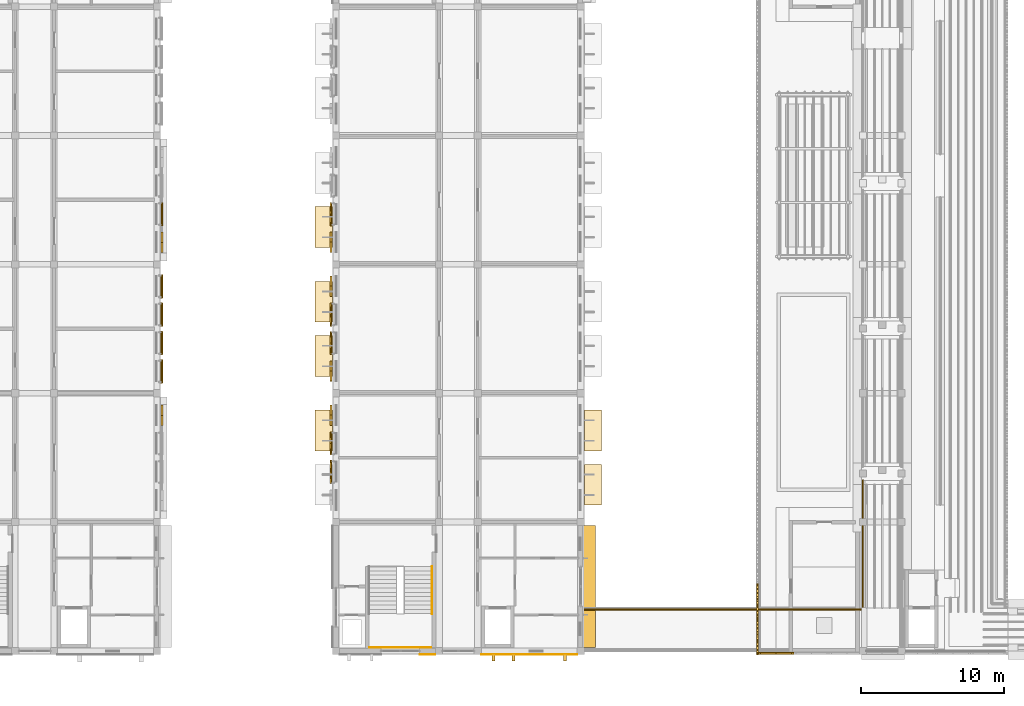
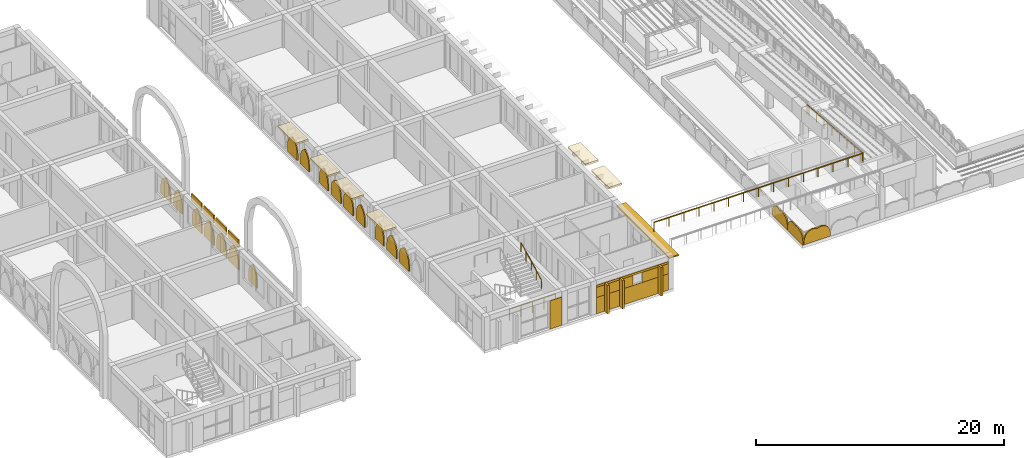
# One storey, part 57 of 65: 20 shading devices, 18 coverings, 3 railings.
"""IFC4 building model written with IfcOpenShell, lengths in metres."""

from ifc_helpers import new_model, si_unit, direction, frame, origin, origin_2d, place, context, subcontext, project, spatial, polyline, rectangle, circle, outline, extrude, material, layer, layer_set, type_object, element, save


model = new_model("IFC4")

# Units and contexts
model_context = context("Model", 3, precision=1e-05, world=origin(), true_north=direction((0.0, 1.0)))
body_context = subcontext(model_context, "Body", "Model", "MODEL_VIEW")
ifc_project = project(units=[si_unit("LENGTHUNIT", "METRE"), si_unit("AREAUNIT", "SQUARE_METRE"), si_unit("VOLUMEUNIT", "CUBIC_METRE"), si_unit("PLANEANGLEUNIT", "RADIAN"), si_unit("MASSUNIT", "GRAM", prefix="KILO")], contexts=[model_context])

# Site, building, storey
site_placement = place(None, origin())
site = spatial("IfcSite", under=ifc_project, at=site_placement, CompositionType="ELEMENT")
building_placement = place(site_placement, origin())
building = spatial("IfcBuilding", under=site, at=building_placement, Name="Elbe Cascade School", CompositionType="ELEMENT")
storey_placement = place(building_placement, frame((0.0, 0.0, 11.699951171875)))
storey = spatial("IfcBuildingStorey", under=building, at=storey_placement, Name="L03", CompositionType="ELEMENT", Elevation=11.699951171875)

# Railings
ifc_material_1 = material(Name="Steel S355J2H, painted", Category="steel")
railing_type_1 = type_object("IfcRailingType", Name="Bar stair guard 1100", PredefinedType="GUARDRAIL", material=ifc_material_1)
railing_1_placement = place(storey_placement, frame((100.9599609375, 6.239990234375, 1.800048828125)))
element("IfcRailing", 1, at=railing_1_placement, inside=storey, type_object=railing_type_1, Name="Stair guard B3.S", PredefinedType="GUARDRAIL", context=body_context, shape_type="SweptSolid", body=[
    extrude(circle(Radius=0.02392578125, at=origin_2d()), frame((0.0, 0.0, 1.09619140625), z_axis=(1.0, 0.0, 0.0), x_axis=(0.0, 1.0, 0.0)), (0.0, 0.0, 1.0), 4.280029296875),
    extrude(circle(Radius=0.02099609375, at=origin_2d()), origin(), (0.0, 0.0, 1.0), 1.072021484375),
    extrude(circle(Radius=0.02099609375, at=origin_2d()), frame((1.070068359375, 0.0, 0.0)), (0.0, 0.0, 1.0), 1.072021484375),
    extrude(circle(Radius=0.02099609375, at=origin_2d()), frame((2.14013671875, 0.0, 0.0)), (0.0, 0.0, 1.0), 1.072021484375),
    extrude(circle(Radius=0.02099609375, at=origin_2d()), frame((3.2099609375, 0.0, 0.0)), (0.0, 0.0, 1.0), 1.072021484375),
    extrude(circle(Radius=0.02099609375, at=origin_2d()), frame((4.280029296875, 0.0, 0.0)), (0.0, 0.0, 1.0), 1.072021484375),
])
ifc_material_2 = material(Name="Steel S355J2H, painted", Category="steel")
railing_type_2 = type_object("IfcRailingType", Name="Bar stair handrail 900", PredefinedType="HANDRAIL", material=ifc_material_2)
railing_2_placement = place(storey_placement, frame((105.300048828125, 8.60009765625, 1.949951171875)))
element("IfcRailing", 2, at=railing_2_placement, inside=storey, type_object=railing_type_2, Name="Stair handrail B3.S", PredefinedType="HANDRAIL", context=body_context, shape_type="SweptSolid", body=[
    extrude(circle(Radius=0.02392578125, at=origin_2d()), frame((0.0, 0.0, 0.8759765625), z_axis=(0.0, 0.894400720042, 0.447266533499), x_axis=(-1.0, 0.0, 0.0)), (0.0, 0.0, 1.0), 3.689453125),
    extrude(circle(Radius=0.02099609375, at=origin_2d()), origin(), (0.0, 0.0, 1.0), 0.851806640625),
    extrude(circle(Radius=0.02099609375, at=origin_2d()), frame((0.0, 0.824951171875, 0.41259765625)), (0.0, 0.0, 1.0), 0.851806640625),
    extrude(circle(Radius=0.02099609375, at=origin_2d()), frame((0.0, 1.64990234375, 0.8251953125)), (0.0, 0.0, 1.0), 0.851806640625),
    extrude(circle(Radius=0.02099609375, at=origin_2d()), frame((0.0, 2.474853515625, 1.237548828125)), (0.0, 0.0, 1.0), 0.851806640625),
    extrude(circle(Radius=0.02099609375, at=origin_2d()), frame((0.0, 3.2998046875, 1.650146484375)), (0.0, 0.0, 1.0), 0.851806640625),
])

# Shading devices
ifc_material_3 = material(Name="Precast concrete C40/50", Category="concrete")
ifc_layer_1 = layer(ifc_material_3, 0.1201171875)
ifc_layer_set_1 = layer_set([ifc_layer_1], Name="Precast concrete C40/50")
shading_device_type_1 = type_object("IfcShadingDeviceType", Name="Bars envelope Attic jali screen, pointed arch top, pierced precast concrete, 1200 high", PredefinedType="USERDEFINED", material=ifc_layer_set_1)
shading_device_1_placement = place(storey_placement, frame((127.97998046875, 5.75, 0.400146484375), z_axis=(-1.0, 0.0, 0.0), x_axis=(0.0, 0.296914729778, 0.954903996871)))
element("IfcShadingDevice", 3, at=shading_device_1_placement, inside=storey, type_object=shading_device_type_1, Name="Attic jali screen SD1 C.L03.w1", ObjectType="JALI", PredefinedType="USERDEFINED", context=body_context, shape_type="SweptSolid", body=[
    extrude(outline(polyline([(0.0, 0.0), (0.5213118135497831, 2.7755575615628914e-17), (0.7307670272254834, 0.09722334288068585), (0.8772044201284606, 0.2137855707816544), (0.9847089596433677, 0.3424534529484574), (1.0619064875388193, 0.48054489831620933), (1.1125270975525943, 0.6269000837217165), (1.1363376588260814, 0.7815914981126785), (1.1314731244903915, 0.9451990530706923), (1.2283261334568831, 1.0774345576902884), (1.296431557866498, 1.218353072018325), (1.337726933535825, 1.3676078153318163), (1.3524453913234755, 1.5251262986830632), (1.3368568374916705, 1.692068345235259), (1.2823354302717953, 1.871116046053289), (1.1649411801745964, 2.069968893608824), (0.7355453523079154, 2.365578822327823), (0.3534438750441624, 2.4843882076074792), (-0.382101477263753, 0.11880938527965638), (0.0, 0.0)])), origin(), (0.0, 0.0, -1.0), 0.1201171875),
])
shading_device_2_placement = place(storey_placement, frame((127.97998046875, 8.227294921875, 0.400146484375), z_axis=(-1.0, 0.0, 0.0), x_axis=(0.0, 0.296914729778, 0.954903996871)))
element("IfcShadingDevice", 4, at=shading_device_2_placement, inside=storey, type_object=shading_device_type_1, Name="Attic jali screen SD1 C.L03.w2", ObjectType="JALI", PredefinedType="USERDEFINED", context=body_context, shape_type="SweptSolid", body=[
    extrude(outline(polyline([(0.0, 0.0), (0.5213118135497831, 2.7755575615628914e-17), (0.7306945382777837, 0.09699021202207464), (0.8772044201284606, 0.2137855707816544), (0.9847089596433677, 0.3424534529484574), (1.0619064875388193, 0.48054489831620933), (1.1125270975525943, 0.6269000837217165), (1.1363376588260814, 0.7815914981126785), (1.1314731244903915, 0.9451990530706923), (1.2282536445091836, 1.0772014268316772), (1.296431557866498, 1.218353072018325), (1.337726933535825, 1.3676078153318163), (1.3524453913234755, 1.5251262986830632), (1.3368568374916705, 1.692068345235259), (1.2824079192194948, 1.8713491769119002), (1.1649411801745964, 2.069968893608824), (0.7355453523079154, 2.365578822327823), (0.3534438750441624, 2.4843882076074792), (-0.382101477263753, 0.11880938527965638), (0.0, 0.0)])), origin(), (0.0, 0.0, -1.0), 0.1201171875),
])
shading_device_3_placement = place(storey_placement, frame((128.10009765625, 5.780029296875, 0.0), z_axis=(0.0, -1.0, 0.0), x_axis=(1.0, 0.0, 0.0)))
element("IfcShadingDevice", 5, at=shading_device_3_placement, inside=storey, type_object=shading_device_type_1, Name="Attic jali screen SD1 C.L03.s1", ObjectType="JALI", PredefinedType="USERDEFINED", context=body_context, shape_type="SweptSolid", body=[
    extrude(outline(polyline([(0.0, 0.0), (2.47119140625, 0.0), (2.47119140625, 0.400146484375), (2.31689453125, 0.89697265625), (2.162353515625, 1.068115234375), (2.0078125, 1.17333984375), (1.853515625, 1.23779296875), (1.698974609375, 1.270751953125), (1.54443359375, 1.275390625), (1.39013671875, 1.252685546875), (1.235595703125, 1.199951171875), (1.081298828125, 1.252685546875), (0.9267578125, 1.275390625), (0.772216796875, 1.270751953125), (0.617919921875, 1.23779296875), (0.46337890625, 1.17333984375), (0.308837890625, 1.068115234375), (0.154296875, 0.89697265625), (0.0, 0.400146484375), (0.0, 0.0)])), origin(), (0.0, 0.0, -1.0), 0.1201171875),
])
ifc_material_4 = material(Name="Precast concrete C30/37", Category="concrete")
ifc_layer_2 = layer(ifc_material_4, 0.1201171875)
ifc_layer_set_2 = layer_set([ifc_layer_2], Name="Precast concrete C30/37")
shading_device_type_2 = type_object("IfcShadingDeviceType", Name="Bars envelope Chhajja eave, precast concrete, 900 x 120", PredefinedType="USERDEFINED", material=ifc_layer_set_2)
shading_device_4_placement = place(storey_placement, frame((116.27001953125, 10.5, 2.6298828125), z_axis=(0.0, 0.0, 1.0), x_axis=(0.0, 1.0, 0.0)))
element("IfcShadingDevice", 6, at=shading_device_4_placement, inside=storey, type_object=shading_device_type_2, Name="Chhajja eave SD2 B.L03.e1", ObjectType="CHHAJJA", PredefinedType="USERDEFINED", context=body_context, shape_type="SweptSolid", body=[
    extrude(rectangle(XDim=8.5, YDim=0.89990234375, at=origin_2d()), origin(), (0.0, 0.0, 1.0), 0.1201171875),
])
ifc_material_5 = material(Name="Precast concrete C40/50", Category="concrete")
ifc_layer_3 = layer(ifc_material_5, 0.10009765625)
ifc_layer_set_3 = layer_set([ifc_layer_3], Name="Precast concrete C40/50")
shading_device_type_3 = type_object("IfcShadingDeviceType", Name="Bars envelope Jali screen 1400 x 1840, pointed arch rise 1200, pierced precast concrete", PredefinedType="USERDEFINED", material=ifc_layer_set_3)
shading_device_5_placement = place(storey_placement, frame((98.199951171875, 21.77001953125, 1.239990234375), z_axis=(-1.0, 0.0, 0.0), x_axis=(0.0, 0.17792317593, 0.984044380842)))
element("IfcShadingDevice", 7, at=shading_device_5_placement, inside=storey, type_object=shading_device_type_3, Name="Jali screen SD6 B.L03.w2.4", ObjectType="JALI", PredefinedType="USERDEFINED", context=body_context, shape_type="SweptSolid", body=[
    extrude(outline(polyline([(0.0, 0.0), (0.49123641871346896, 0.0), (0.6927805522414701, 0.052626805310662106), (0.8431090177286255, 0.11426571806572286), (0.9656124771118364, 0.18118371597428135), (1.069333371826684, 0.25124965415180983), (1.1586395539315395, 0.3239218888517511), (1.236937894644108, 0.3988325294290419), (1.305342743464475, 0.47528389408648153), (1.26808313808694, 0.5710883451184476), (1.2209300408172035, 0.6684335202305626), (1.1627256638798062, 0.7677768560098606), (1.0901500126077905, 0.8699667335217378), (0.9987917966674117, 0.9753045513025852), (0.8796085746230882, 1.0859214542369302), (0.7092096845379191, 1.2055504646156736), (0.24907507099190854, 1.377566035094913), (-0.38060762485458033, 1.491417754848975), (-0.6296826958464888, 0.11385171975406214), (0.0, 0.0)])), origin(), (0.0, 0.0, -1.0), 0.10009765625),
])
shading_device_6_placement = place(storey_placement, frame((98.199951171875, 24.830078125, 1.239990234375), z_axis=(-1.0, 0.0, 0.0), x_axis=(0.0, 0.17792317593, 0.984044380842)))
element("IfcShadingDevice", 8, at=shading_device_6_placement, inside=storey, type_object=shading_device_type_3, Name="Jali screen SD6 B.L03.w3.1", ObjectType="JALI", PredefinedType="USERDEFINED", context=body_context, shape_type="SweptSolid", body=[
    extrude(outline(polyline([(0.0, 0.0), (0.49123641871346896, 0.0), (0.6927371139660965, 0.05238656010049558), (0.8431090177286255, 0.11426571806572286), (0.9655690388364628, 0.18094347076411482), (1.069333371826684, 0.25124965415180983), (1.1586395539315395, 0.3239218888517511), (1.2368944563687345, 0.3985922842188754), (1.305342743464475, 0.47528389408648153), (1.2680396998115664, 0.5708480999082811), (1.2209300408172035, 0.6684335202305626), (1.1627256638798062, 0.7677768560098606), (1.090106574332417, 0.8697264883115714), (0.9987917966674117, 0.9753045513025852), (0.8795651363477146, 1.0856812090267636), (0.7092096845379191, 1.2055504646156736), (0.24907507099190854, 1.377566035094913), (-0.38060762485458033, 1.491417754848975), (-0.6296826958464888, 0.11385171975406214), (0.0, 0.0)])), origin(), (0.0, 0.0, -1.0), 0.10009765625),
])
shading_device_7_placement = place(storey_placement, frame((98.199951171875, 30.77001953125, 1.239990234375), z_axis=(-1.0, 0.0, 0.0), x_axis=(0.0, 0.17792317593, 0.984044380842)))
element("IfcShadingDevice", 9, at=shading_device_7_placement, inside=storey, type_object=shading_device_type_3, Name="Jali screen SD6 B.L03.w3.4", ObjectType="JALI", PredefinedType="USERDEFINED", context=body_context, shape_type="SweptSolid", body=[
    extrude(outline(polyline([(0.0, 0.0), (0.49123641871346896, 0.0), (0.6927805522414701, 0.052626805310662106), (0.8431090177286255, 0.11426571806572286), (0.9656124771118364, 0.18118371597428135), (1.069333371826684, 0.25124965415180983), (1.1586395539315395, 0.3239218888517511), (1.236937894644108, 0.3988325294290419), (1.305342743464475, 0.47528389408648153), (1.26808313808694, 0.5710883451184476), (1.2209300408172035, 0.6684335202305626), (1.1627256638798062, 0.7677768560098606), (1.0901500126077905, 0.8699667335217378), (0.9987917966674117, 0.9753045513025852), (0.8796085746230882, 1.0859214542369302), (0.7092096845379191, 1.2055504646156736), (0.24907507099190854, 1.377566035094913), (-0.38060762485458033, 1.491417754848975), (-0.6296826958464888, 0.11385171975406214), (0.0, 0.0)])), origin(), (0.0, 0.0, -1.0), 0.10009765625),
])
shading_device_8_placement = place(storey_placement, frame((98.199951171875, 33.830078125, 1.239990234375), z_axis=(-1.0, 0.0, 0.0), x_axis=(0.0, 0.17792317593, 0.984044380842)))
element("IfcShadingDevice", 10, at=shading_device_8_placement, inside=storey, type_object=shading_device_type_3, Name="Jali screen SD6 B.L03.w4.1", ObjectType="JALI", PredefinedType="USERDEFINED", context=body_context, shape_type="SweptSolid", body=[
    extrude(outline(polyline([(0.0, 0.0), (0.49123641871346896, 0.0), (0.6927371139660965, 0.05238656010049558), (0.8431090177286255, 0.11426571806572286), (0.9655690388364628, 0.18094347076411482), (1.069333371826684, 0.25124965415180983), (1.1586395539315395, 0.3239218888517511), (1.2368944563687345, 0.3985922842188754), (1.305342743464475, 0.47528389408648153), (1.2680396998115664, 0.5708480999082811), (1.2209300408172035, 0.6684335202305626), (1.1627256638798062, 0.7677768560098606), (1.090106574332417, 0.8697264883115714), (0.9987917966674117, 0.9753045513025852), (0.8795651363477146, 1.0856812090267636), (0.7092096845379191, 1.2055504646156736), (0.24907507099190854, 1.377566035094913), (-0.38060762485458033, 1.491417754848975), (-0.6296826958464888, 0.11385171975406214), (0.0, 0.0)])), origin(), (0.0, 0.0, -1.0), 0.10009765625),
])
ifc_material_6 = material(Name="Precast concrete C40/50", Category="concrete")
ifc_layer_4 = layer(ifc_material_6, 0.10009765625)
ifc_layer_set_4 = layer_set([ifc_layer_4], Name="Precast concrete C40/50")
shading_device_type_4 = type_object("IfcShadingDeviceType", Name="Bars envelope Jali screen 1400 x 1940, pointed arch rise 1200, pierced precast concrete", PredefinedType="USERDEFINED", material=ifc_layer_set_4)
shading_device_9_placement = place(storey_placement, frame((86.5, 21.77001953125, 0.60009765625), z_axis=(1.0, 0.0, 0.0), x_axis=(0.0, 1.0, 0.0)))
element("IfcShadingDevice", 11, at=shading_device_9_placement, inside=storey, type_object=shading_device_type_4, Name="Jali screen SD5 A.L03.e2.4", ObjectType="JALI", PredefinedType="USERDEFINED", context=body_context, shape_type="SweptSolid", body=[
    extrude(outline(polyline([(0.0, 0.0), (1.39990234375, 0.0), (1.39990234375, 0.739990234375), (1.3125, 1.22314453125), (1.22509765625, 1.412109375), (1.137451171875, 1.549072265625), (1.050048828125, 1.657958984375), (0.96240234375, 1.747314453125), (0.875, 1.822509765625), (0.78759765625, 1.885986328125), (0.699951171875, 1.93994140625), (0.612548828125, 1.885986328125), (0.52490234375, 1.822509765625), (0.4375, 1.747314453125), (0.35009765625, 1.657958984375), (0.262451171875, 1.549072265625), (0.175048828125, 1.412109375), (0.08740234375, 1.22314453125), (0.0, 0.739990234375), (0.0, 0.0)])), origin(), (0.0, 0.0, -1.0), 0.10009765625),
])
shading_device_10_placement = place(storey_placement, frame((86.5, 33.830078125, 0.60009765625), z_axis=(1.0, 0.0, 0.0), x_axis=(0.0, 1.0, 0.0)))
element("IfcShadingDevice", 12, at=shading_device_10_placement, inside=storey, type_object=shading_device_type_4, Name="Jali screen SD5 A.L03.e4.1", ObjectType="JALI", PredefinedType="USERDEFINED", context=body_context, shape_type="SweptSolid", body=[
    extrude(outline(polyline([(0.0, 0.0), (1.39990234375, 0.0), (1.39990234375, 0.739990234375), (1.3125, 1.22314453125), (1.224853515625, 1.412109375), (1.137451171875, 1.549072265625), (1.0498046875, 1.657958984375), (0.96240234375, 1.747314453125), (0.875, 1.822509765625), (0.787353515625, 1.885986328125), (0.699951171875, 1.93994140625), (0.6123046875, 1.885986328125), (0.52490234375, 1.822509765625), (0.4375, 1.747314453125), (0.349853515625, 1.657958984375), (0.262451171875, 1.549072265625), (0.1748046875, 1.412109375), (0.08740234375, 1.22314453125), (0.0, 0.739990234375), (0.0, 0.0)])), origin(), (0.0, 0.0, -1.0), 0.10009765625),
])
ifc_material_7 = material(Name="Precast concrete C40/50", Category="concrete")
ifc_layer_5 = layer(ifc_material_7, 0.10009765625)
ifc_layer_set_5 = layer_set([ifc_layer_5], Name="Precast concrete C40/50")
shading_device_type_5 = type_object("IfcShadingDeviceType", Name="Bars envelope Jali screen 1600 x 1840, pointed arch rise 1200, pierced precast concrete", PredefinedType="USERDEFINED", material=ifc_layer_set_5)
for number, where, z_axis, x_axis, name in (
    (13, (98.199951171875, 17.7099609375, 1.239990234375), (-1.0, 0.0, 0.0), (0.0, 0.196300278283, 0.98054382908), "Jali screen SD7 B.L03.w2.2"),
    (14, (98.199951171875, 19.68994140625, 1.239990234375), (-1.0, 0.0, 0.0), (0.0, 0.196300278283, 0.98054382908), "Jali screen SD7 B.L03.w2.3"),
    (15, (98.199951171875, 26.7099609375, 1.239990234375), (-1.0, 0.0, 0.0), (0.0, 0.196300278283, 0.98054382908), "Jali screen SD7 B.L03.w3.2"),
    (16, (98.199951171875, 28.68994140625, 1.239990234375), (-1.0, 0.0, 0.0), (0.0, 0.196300278283, 0.98054382908), "Jali screen SD7 B.L03.w3.3"),
    (17, (98.199951171875, 35.7099609375, 1.239990234375), (-1.0, 0.0, 0.0), (0.0, 0.196300278283, 0.98054382908), "Jali screen SD7 B.L03.w4.2"),
):
    element("IfcShadingDevice", number, at=place(storey_placement, frame(where, z_axis=z_axis, x_axis=x_axis)), inside=storey, type_object=shading_device_type_5, Name=name, ObjectType="JALI", PredefinedType="USERDEFINED", context=body_context, shape_type="SweptSolid", body=[
        extrude(outline(polyline([(0.0, 0.0), (0.509921112317134, 0.0), (0.7186409460062186, 0.06005009918221829), (0.8735458233318658, 0.1311226852889124), (0.9985268777485877, 0.20818588047405348), (1.102872417131342, 0.2891312241218946), (1.1919448840573539, 0.37338315020117196), (1.268281725197354, 0.45993570394643946), (1.3336545243794973, 0.5489321924158467), (1.3075801207519657, 0.6562359822289878), (1.270445825421322, 0.7655049255997259), (1.220671754049922, 0.877553277802997), (1.1555287604765243, 0.9924294312711612), (1.069846101614414, 1.1116665143685687), (0.9542396198433787, 1.2368942065444228), (0.7847223319636507, 1.37266560447821), (0.31409961520112845, 1.5689658827607584), (-0.3133431035532121, 1.6945769739176333), (-0.6274427187543405, 0.12561109115687483), (0.0, 0.0)])), origin(), (0.0, 0.0, -1.0), 0.10009765625),
    ])
ifc_material_8 = material(Name="Precast concrete C40/50", Category="concrete")
ifc_layer_6 = layer(ifc_material_8, 0.10009765625)
ifc_layer_set_6 = layer_set([ifc_layer_6], Name="Precast concrete C40/50")
shading_device_type_6 = type_object("IfcShadingDeviceType", Name="Bars envelope Jali screen 1600 x 1940, pointed arch rise 1200, pierced precast concrete", PredefinedType="USERDEFINED", material=ifc_layer_set_6)
shading_device_11_placement = place(storey_placement, frame((86.5, 24.72998046875, 0.60009765625), z_axis=(1.0, 0.0, 0.0), x_axis=(0.0, 1.0, 0.0)))
element("IfcShadingDevice", 18, at=shading_device_11_placement, inside=storey, type_object=shading_device_type_6, Name="Jali screen SD4 A.L03.e3.1", ObjectType="JALI", PredefinedType="USERDEFINED", context=body_context, shape_type="SweptSolid", body=[
    extrude(outline(polyline([(0.0, 0.0), (1.60009765625, 0.0), (1.60009765625, 0.739990234375), (1.5, 1.239990234375), (1.39990234375, 1.432861328125), (1.300048828125, 1.570556640625), (1.199951171875, 1.677978515625), (1.10009765625, 1.7646484375), (1.0, 1.83544921875), (0.89990234375, 1.893310546875), (0.800048828125, 1.93994140625), (0.699951171875, 1.893310546875), (0.60009765625, 1.83544921875), (0.5, 1.7646484375), (0.39990234375, 1.677978515625), (0.300048828125, 1.570556640625), (0.199951171875, 1.432861328125), (0.10009765625, 1.239990234375), (0.0, 0.739990234375), (0.0, 0.0)])), origin(), (0.0, 0.0, -1.0), 0.10009765625),
])
for number, where, z_axis, x_axis, name in (
    (19, (86.5, 26.7099609375, 0.60009765625), (1.0, 0.0, 0.0), (0.0, 1.0, 0.0), "Jali screen SD4 A.L03.e3.2"),
    (20, (86.5, 28.68994140625, 0.60009765625), (1.0, 0.0, 0.0), (0.0, 1.0, 0.0), "Jali screen SD4 A.L03.e3.3"),
):
    element("IfcShadingDevice", number, at=place(storey_placement, frame(where, z_axis=z_axis, x_axis=x_axis)), inside=storey, type_object=shading_device_type_6, Name=name, ObjectType="JALI", PredefinedType="USERDEFINED", context=body_context, shape_type="SweptSolid", body=[
        extrude(outline(polyline([(0.0, 0.0), (1.60009765625, 0.0), (1.60009765625, 0.739990234375), (1.5, 1.239990234375), (1.400146484375, 1.432861328125), (1.300048828125, 1.570556640625), (1.199951171875, 1.677978515625), (1.10009765625, 1.7646484375), (1.0, 1.83544921875), (0.900146484375, 1.893310546875), (0.800048828125, 1.93994140625), (0.699951171875, 1.893310546875), (0.60009765625, 1.83544921875), (0.5, 1.7646484375), (0.400146484375, 1.677978515625), (0.300048828125, 1.570556640625), (0.199951171875, 1.432861328125), (0.10009765625, 1.239990234375), (0.0, 0.739990234375), (0.0, 0.0)])), origin(), (0.0, 0.0, -1.0), 0.10009765625),
    ])
shading_device_12_placement = place(storey_placement, frame((86.5, 30.669921875, 0.60009765625), z_axis=(1.0, 0.0, 0.0), x_axis=(0.0, 1.0, 0.0)))
element("IfcShadingDevice", 21, at=shading_device_12_placement, inside=storey, type_object=shading_device_type_6, Name="Jali screen SD4 A.L03.e3.4", ObjectType="JALI", PredefinedType="USERDEFINED", context=body_context, shape_type="SweptSolid", body=[
    extrude(outline(polyline([(0.0, 0.0), (1.60009765625, 0.0), (1.60009765625, 0.739990234375), (1.5, 1.239990234375), (1.400146484375, 1.432861328125), (1.300048828125, 1.570556640625), (1.2001953125, 1.677978515625), (1.10009765625, 1.7646484375), (1.0, 1.83544921875), (0.900146484375, 1.893310546875), (0.800048828125, 1.93994140625), (0.7001953125, 1.893310546875), (0.60009765625, 1.83544921875), (0.5, 1.7646484375), (0.400146484375, 1.677978515625), (0.300048828125, 1.570556640625), (0.2001953125, 1.432861328125), (0.10009765625, 1.239990234375), (0.0, 0.739990234375), (0.0, 0.0)])), origin(), (0.0, 0.0, -1.0), 0.10009765625),
])
shading_device_13_placement = place(storey_placement, frame((86.5, 35.7099609375, 0.60009765625), z_axis=(1.0, 0.0, 0.0), x_axis=(0.0, 1.0, 0.0)))
element("IfcShadingDevice", 22, at=shading_device_13_placement, inside=storey, type_object=shading_device_type_6, Name="Jali screen SD4 A.L03.e4.2", ObjectType="JALI", PredefinedType="USERDEFINED", context=body_context, shape_type="SweptSolid", body=[
    extrude(outline(polyline([(0.0, 0.0), (1.60009765625, 0.0), (1.60009765625, 0.739990234375), (1.5, 1.239990234375), (1.400146484375, 1.432861328125), (1.300048828125, 1.570556640625), (1.199951171875, 1.677978515625), (1.10009765625, 1.7646484375), (1.0, 1.83544921875), (0.900146484375, 1.893310546875), (0.800048828125, 1.93994140625), (0.699951171875, 1.893310546875), (0.60009765625, 1.83544921875), (0.5, 1.7646484375), (0.400146484375, 1.677978515625), (0.300048828125, 1.570556640625), (0.199951171875, 1.432861328125), (0.10009765625, 1.239990234375), (0.0, 0.739990234375), (0.0, 0.0)])), origin(), (0.0, 0.0, -1.0), 0.10009765625),
])

# Coverings
ifc_material_9 = material(Name="Precast concrete C40/50", Category="concrete")
covering_type_1 = type_object("IfcCoveringType", Name="Bars envelope Precast concrete gable fin, 200 wide, 450 deep", PredefinedType="CLADDING", material=ifc_material_9)
for number, where, z_axis, x_axis, name in (
    (23, (109.60009765625, 5.514892578125, 0.0), (0.0, 0.0, 1.0), (1.0, 0.0, 0.0), "Fin CV57 B.L03.s.3"),
    (24, (111.0, 5.514892578125, 0.0), (0.0, 0.0, 1.0), (1.0, 0.0, 0.0), "Fin CV57 B.L03.s.4"),
    (25, (114.60009765625, 5.514892578125, 0.0), (0.0, 0.0, 1.0), (1.0, 0.0, 0.0), "Fin CV57 B.L03.s.5"),
):
    element("IfcCovering", number, at=place(storey_placement, frame(where, z_axis=z_axis, x_axis=x_axis)), inside=storey, type_object=covering_type_1, Name=name, PredefinedType="CLADDING", context=body_context, shape_type="SweptSolid", body=[
        extrude(rectangle(XDim=0.199951171875, YDim=0.449951171875, at=origin_2d()), origin(), (0.0, 0.0, 1.0), 2.800048828125),
    ])
ifc_material_10 = material(Name="Sandstone - red", Category="masonry")
covering_type_2 = type_object("IfcCoveringType", Name="Bars envelope Sandstone chhajja slab, 1200 deep", PredefinedType="CLADDING", material=ifc_material_10)
for number, where, z_axis, x_axis, name in (
    (26, (97.75, 21.392578125, 3.419921875), (0.0, 0.0, 1.0), (0.0, 1.0, 0.0), "Chhajja slab CV61 B.L03.w1.2"),
    (27, (97.75, 26.607421875, 3.419921875), (0.0, 0.0, 1.0), (0.0, 1.0, 0.0), "Chhajja slab CV61 B.L03.w2.1"),
    (28, (97.75, 30.392578125, 3.419921875), (0.0, 0.0, 1.0), (0.0, 1.0, 0.0), "Chhajja slab CV61 B.L03.w2.2"),
    (29, (97.75, 35.607421875, 3.419921875), (0.0, 0.0, 1.0), (0.0, 1.0, 0.0), "Chhajja slab CV61 B.L03.w3.1"),
    (30, (116.550048828125, 17.607421875, 3.419921875), (0.0, 0.0, 1.0), (0.0, 1.0, 0.0), "Chhajja slab CV61 B.L03.e1.1"),
    (31, (116.550048828125, 21.392578125, 3.419921875), (0.0, 0.0, 1.0), (0.0, 1.0, 0.0), "Chhajja slab CV61 B.L03.e1.2"),
):
    element("IfcCovering", number, at=place(storey_placement, frame(where, z_axis=z_axis, x_axis=x_axis)), inside=storey, type_object=covering_type_2, Name=name, PredefinedType="CLADDING", context=body_context, shape_type="SweptSolid", body=[
        extrude(rectangle(XDim=2.85498046875, YDim=1.199951171875, at=origin_2d()), origin(), (0.0, 0.0, 1.0), 0.179931640625),
    ])
ifc_material_11 = material(Name="Sandstone - red", Category="masonry")
ifc_layer_7 = layer(ifc_material_11, 0.0400390625)
ifc_layer_set_7 = layer_set([ifc_layer_7], Name="Sandstone - red")
covering_type_3 = type_object("IfcCoveringType", Name="Bars envelope Sandstone cladding, red, 40 mm", PredefinedType="CLADDING", material=ifc_layer_set_7)
covering_1_placement = place(storey_placement, frame((105.0, 5.760009765625, 0.0), z_axis=(0.0, 0.0, 1.0), x_axis=(1.0, 0.0, 0.0)))
element("IfcCovering", 32, at=covering_1_placement, inside=storey, type_object=covering_type_3, Name="Sandstone cladding CV48 B.L03.s.1b.1", PredefinedType="CLADDING", context=body_context, shape_type="SweptSolid", body=[
    extrude(rectangle(XDim=1.10009765625, YDim=0.0400390625, at=origin_2d()), origin(), (0.0, 0.0, 1.0), 2.800048828125),
])
covering_2_placement = place(storey_placement, frame((112.10009765625, 5.760009765625, 0.0), z_axis=(0.0, 0.0, 1.0), x_axis=(1.0, 0.0, 0.0)))
element("IfcCovering", 33, at=covering_2_placement, inside=storey, type_object=covering_type_3, Name="Sandstone cladding CV48 B.L03.s.3.1", PredefinedType="CLADDING", context=body_context, shape_type="SweptSolid", body=[
    extrude(rectangle(XDim=6.699951171875, YDim=0.0400390625, at=origin_2d()), origin(), (0.0, 0.0, 1.0), 1.60009765625),
])
covering_3_placement = place(storey_placement, frame((110.449951171875, 5.760009765625, 1.60009765625), z_axis=(0.0, 0.0, 1.0), x_axis=(1.0, 0.0, 0.0)))
element("IfcCovering", 34, at=covering_3_placement, inside=storey, type_object=covering_type_3, Name="Sandstone cladding CV48 B.L03.s.3.2", PredefinedType="CLADDING", context=body_context, shape_type="SweptSolid", body=[
    extrude(rectangle(XDim=3.39990234375, YDim=0.0400390625, at=origin_2d()), origin(), (0.0, 0.0, 1.0), 1.0),
])
covering_4_placement = place(storey_placement, frame((114.25, 5.760009765625, 1.60009765625), z_axis=(0.0, 0.0, 1.0), x_axis=(1.0, 0.0, 0.0)))
element("IfcCovering", 35, at=covering_4_placement, inside=storey, type_object=covering_type_3, Name="Sandstone cladding CV48 B.L03.s.3.3", PredefinedType="CLADDING", context=body_context, shape_type="SweptSolid", body=[
    extrude(rectangle(XDim=2.39990234375, YDim=0.0400390625, at=origin_2d()), origin(), (0.0, 0.0, 1.0), 1.0),
])
covering_5_placement = place(storey_placement, frame((112.10009765625, 5.760009765625, 2.60009765625), z_axis=(0.0, 0.0, 1.0), x_axis=(1.0, 0.0, 0.0)))
element("IfcCovering", 36, at=covering_5_placement, inside=storey, type_object=covering_type_3, Name="Sandstone cladding CV48 B.L03.s.3.4", PredefinedType="CLADDING", context=body_context, shape_type="SweptSolid", body=[
    extrude(rectangle(XDim=6.699951171875, YDim=0.0400390625, at=origin_2d()), origin(), (0.0, 0.0, 1.0), 0.199951171875),
])
ifc_material_12 = material(Name="Sandstone - red", Category="masonry")
covering_type_4 = type_object("IfcCoveringType", Name="Bars envelope Sandstone spandrel band, 120 deep", PredefinedType="CLADDING", material=ifc_material_12)
for number, where, z_axis, x_axis, name in (
    (37, (86.409912109375, 25.530029296875, 2.85009765625), (0.0, 0.0, 1.0), (0.0, 1.0, 0.0), "Spandrel band CV53 A.L03.e2.1"),
    (38, (86.409912109375, 27.510009765625, 2.85009765625), (0.0, 0.0, 1.0), (0.0, 1.0, 0.0), "Spandrel band CV53 A.L03.e2.2"),
    (39, (86.409912109375, 29.489990234375, 2.85009765625), (0.0, 0.0, 1.0), (0.0, 1.0, 0.0), "Spandrel band CV53 A.L03.e2.3"),
    (40, (86.409912109375, 31.469970703125, 2.85009765625), (0.0, 0.0, 1.0), (0.0, 1.0, 0.0), "Spandrel band CV53 A.L03.e2.4"),
):
    element("IfcCovering", number, at=place(storey_placement, frame(where, z_axis=z_axis, x_axis=x_axis)), inside=storey, type_object=covering_type_4, Name=name, PredefinedType="CLADDING", context=body_context, shape_type="SweptSolid", body=[
        extrude(rectangle(XDim=1.639892578125, YDim=0.1201171875, at=origin_2d()), origin(), (0.0, 0.0, 1.0), 0.75),
    ])

# Railing
ifc_material_13 = material(Name="Steel S355J2H", Category="steel")
railing_type_3 = type_object("IfcRailingType", Name="Track handrail 900", PredefinedType="HANDRAIL", material=ifc_material_13)
railing_3_placement = place(storey_placement, frame((115.949951171875, 8.89990234375, 3.719970703125)))
element("IfcRailing", 41, at=railing_3_placement, inside=storey, type_object=railing_type_3, Name="Track handrail RL5 B-C north and west", PredefinedType="HANDRAIL", context=body_context, shape_type="SweptSolid", body=[
    extrude(circle(Radius=0.0400390625, at=origin_2d()), frame((0.0, 0.0, 0.85986328125), z_axis=(1.0, 0.0, 0.0), x_axis=(0.0, 1.0, 0.0)), (0.0, 0.0, 1.0), 19.449951171875),
    extrude(circle(Radius=0.0400390625, at=origin_2d()), frame((19.449951171875, 0.0, 0.85986328125), z_axis=(0.0, 1.0, 0.0), x_axis=(-1.0, 0.0, 0.0)), (0.0, 0.0, 1.0), 0.10009765625),
    extrude(circle(Radius=0.0400390625, at=origin_2d()), frame((19.449951171875, 0.10009765625, 0.85986328125), z_axis=(0.0, 0.996545952447, -0.08304314939), x_axis=(-1.0, 0.0, 0.0)), (0.0, 0.0, 1.0), 8.669921875),
    extrude(circle(Radius=0.0400390625, at=origin_2d()), frame((19.449951171875, 8.739990234375, 0.139892578125), z_axis=(0.0, 1.0, 0.0), x_axis=(-1.0, 0.0, 0.0)), (0.0, 0.0, 1.0), 0.300048828125),
    extrude(circle(Radius=0.02099609375, at=origin_2d()), origin(), (0.0, 0.0, 1.0), 0.81982421875),
    extrude(circle(Radius=0.02099609375, at=origin_2d()), frame((1.38916015625, 0.0, 0.0)), (0.0, 0.0, 1.0), 0.81982421875),
    extrude(circle(Radius=0.02099609375, at=origin_2d()), frame((2.778564453125, 0.0, 0.0)), (0.0, 0.0, 1.0), 0.81982421875),
    extrude(circle(Radius=0.02099609375, at=origin_2d()), frame((4.16796875, 0.0, 0.0)), (0.0, 0.0, 1.0), 0.81982421875),
    extrude(circle(Radius=0.02099609375, at=origin_2d()), frame((5.55712890625, 0.0, 0.0)), (0.0, 0.0, 1.0), 0.81982421875),
    extrude(circle(Radius=0.02099609375, at=origin_2d()), frame((6.9462890625, 0.0, 0.0)), (0.0, 0.0, 1.0), 0.81982421875),
    extrude(circle(Radius=0.02099609375, at=origin_2d()), frame((8.335693359375, 0.0, 0.0)), (0.0, 0.0, 1.0), 0.81982421875),
    extrude(circle(Radius=0.02099609375, at=origin_2d()), frame((9.72509765625, 0.0, 0.0)), (0.0, 0.0, 1.0), 0.81982421875),
    extrude(circle(Radius=0.02099609375, at=origin_2d()), frame((11.1142578125, 0.0, 0.0)), (0.0, 0.0, 1.0), 0.81982421875),
    extrude(circle(Radius=0.02099609375, at=origin_2d()), frame((12.503662109375, 0.0, 0.0)), (0.0, 0.0, 1.0), 0.81982421875),
    extrude(circle(Radius=0.02099609375, at=origin_2d()), frame((13.892822265625, 0.0, 0.0)), (0.0, 0.0, 1.0), 0.81982421875),
    extrude(circle(Radius=0.02099609375, at=origin_2d()), frame((15.2822265625, 0.0, 0.0)), (0.0, 0.0, 1.0), 0.81982421875),
    extrude(circle(Radius=0.02099609375, at=origin_2d()), frame((16.67138671875, 0.0, 0.0)), (0.0, 0.0, 1.0), 0.81982421875),
    extrude(circle(Radius=0.02099609375, at=origin_2d()), frame((18.060546875, 0.0, 0.0)), (0.0, 0.0, 1.0), 0.81982421875),
    extrude(circle(Radius=0.02099609375, at=origin_2d()), frame((19.449951171875, 0.0, 0.0)), (0.0, 0.0, 1.0), 0.81982421875),
    extrude(circle(Radius=0.02099609375, at=origin_2d()), frame((19.449951171875, 0.10009765625, 0.0)), (0.0, 0.0, 1.0), 0.81982421875),
    extrude(circle(Radius=0.02099609375, at=origin_2d()), frame((19.449951171875, 1.33447265625, -0.102783203125)), (0.0, 0.0, 1.0), 0.81982421875),
    extrude(circle(Radius=0.02099609375, at=origin_2d()), frame((19.449951171875, 2.568603515625, -0.205810546875)), (0.0, 0.0, 1.0), 0.81982421875),
    extrude(circle(Radius=0.02099609375, at=origin_2d()), frame((19.449951171875, 3.802978515625, -0.30859375)), (0.0, 0.0, 1.0), 0.81982421875),
    extrude(circle(Radius=0.02099609375, at=origin_2d()), frame((19.449951171875, 5.037109375, -0.411376953125)), (0.0, 0.0, 1.0), 0.81982421875),
    extrude(circle(Radius=0.02099609375, at=origin_2d()), frame((19.449951171875, 6.271484375, -0.51416015625)), (0.0, 0.0, 1.0), 0.81982421875),
    extrude(circle(Radius=0.02099609375, at=origin_2d()), frame((19.449951171875, 7.505615234375, -0.6171875)), (0.0, 0.0, 1.0), 0.81982421875),
    extrude(circle(Radius=0.02099609375, at=origin_2d()), frame((19.449951171875, 8.739990234375, -0.719970703125)), (0.0, 0.0, 1.0), 0.81982421875),
    extrude(circle(Radius=0.02099609375, at=origin_2d()), frame((19.449951171875, 9.0400390625, -0.719970703125)), (0.0, 0.0, 1.0), 0.81982421875),
])

save(model, "model.ifc")
